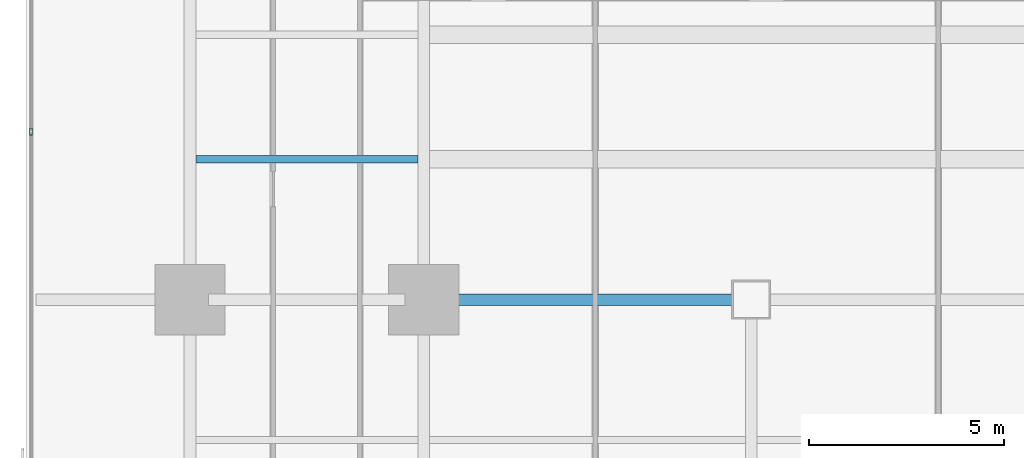
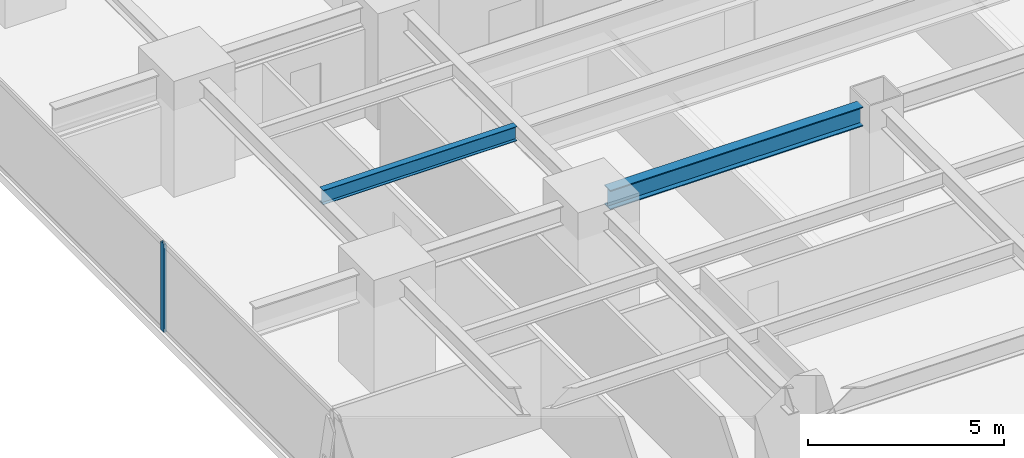
# One storey, part 9 of 33: 2 beams, 1 member, 1 element without a shape of its own.
"""IFC4 building model written with IfcOpenShell, lengths in metres."""

from ifc_helpers import new_model, si_unit, direction, frame, origin, origin_2d, place, context, subcontext, project, spatial, hollow_rectangle, i_section, extrude, source, transform, mapped, material, layer, layer_set, material_profile, profile_set, type_object, element, aggregate, save


model = new_model("IFC4")

# Units and contexts
model_context = context("Model", 3, precision=1e-05, world=origin(), true_north=direction((0.0, 1.0)))
body_context = subcontext(model_context, "Body", "Model", "MODEL_VIEW")
ifc_project = project(units=[si_unit("LENGTHUNIT", "METRE"), si_unit("AREAUNIT", "SQUARE_METRE"), si_unit("VOLUMEUNIT", "CUBIC_METRE"), si_unit("PLANEANGLEUNIT", "RADIAN"), si_unit("MASSUNIT", "GRAM", prefix="KILO")], contexts=[model_context])

# Site, building, storey
site_placement = place(None, origin())
site = spatial("IfcSite", under=ifc_project, at=site_placement, CompositionType="ELEMENT")
building_placement = place(site_placement, origin())
building = spatial("IfcBuilding", under=site, at=building_placement, Name="Sumidabori Civic Tower", CompositionType="ELEMENT")
storey_placement = place(building_placement, frame((0.0, 0.0, 23.60009765625)))
storey = spatial("IfcBuildingStorey", under=building, at=storey_placement, Name="L05", CompositionType="ELEMENT", Elevation=23.60009765625)

# Beams
ifc_material_1 = material(Name="Steel SN490", Category="steel")
ifc_material_profile_1 = material_profile(ifc_material_1, i_section(OverallWidth=0.300048828125, OverallDepth=0.60009765625, WebThickness=0.015380859375, FlangeThickness=0.030029296875, at=origin_2d()), Name="HE 600 B")
ifc_profile_set_1 = profile_set([ifc_material_profile_1], Name="Steel SN490")
beam_type_1 = type_object("IfcBeamType", Name="BM-GIRD-600", PredefinedType="BEAM", material=ifc_profile_set_1)
shared_shape_1 = source(origin(), body_context, "Body", "SweptSolid", [
    extrude(i_section(OverallWidth=0.300048828125, OverallDepth=0.60009765625, WebThickness=0.015380859375, FlangeThickness=0.030029296875, at=origin_2d()), origin(), (0.0, 0.0, 1.0), 7.440185546875),
])
beam_1_placement = place(storey_placement, frame((-16.320068359375, 0.0, 3.059814453125), z_axis=(1.0, 0.0, 0.0), x_axis=(0.0, 1.0, 0.0)))
element("IfcBeam", 1, at=beam_1_placement, inside=storey, type_object=beam_type_1, Name="Primary Girder L05 GX-14", PredefinedType="BEAM", context=body_context, shape_type="MappedRepresentation", body=[
    mapped(shared_shape_1, transform((0.0, 0.0, 0.0), x_axis=(1.0, 0.0, 0.0), y_axis=(0.0, 1.0, 0.0), z_axis=(0.0, 0.0, 1.0), scale=1.0)),
])
ifc_material_profile_2 = material_profile(ifc_material_1, i_section(OverallWidth=0.18994140625, OverallDepth=0.449951171875, WebThickness=0.009521484375, FlangeThickness=0.0146484375, at=origin_2d()), Name="IPE 450")
ifc_profile_set_2 = profile_set([ifc_material_profile_2], Name="Steel SN490")
beam_type_2 = type_object("IfcBeamType", Name="BM-JST-450", PredefinedType="JOIST", material=ifc_profile_set_2)
shared_shape_2 = source(origin(), body_context, "Body", "SweptSolid", [
    extrude(i_section(OverallWidth=0.18994140625, OverallDepth=0.449951171875, WebThickness=0.009521484375, FlangeThickness=0.0146484375, at=origin_2d()), origin(), (0.0, 0.0, 1.0), 5.699951171875),
])
beam_2_placement = place(storey_placement, frame((-22.64990234375, 3.60009765625, 3.135009765625), z_axis=(1.0, 0.0, 0.0), x_axis=(0.0, 1.0, 0.0)))
element("IfcBeam", 2, at=beam_2_placement, inside=storey, type_object=beam_type_2, Name="Outer Bay Floor Joist L05 JSTO-53", PredefinedType="JOIST", context=body_context, shape_type="MappedRepresentation", body=[
    mapped(shared_shape_2, transform((0.0, 0.0, 0.0), x_axis=(1.0, 0.0, 0.0), y_axis=(0.0, 1.0, 0.0), z_axis=(0.0, 0.0, 1.0), scale=1.0)),
])

# Curtain wall, member
ifc_material_2 = material(Name="Anodised Bronze Aluminium AW-6063-T6", Category="aluminium")
ifc_layer = layer(ifc_material_2, 0.179931640625, Name="Anodised Bronze Aluminium AW-6063-T6")
ifc_layer_set = layer_set([ifc_layer], Name="Anodised Bronze Aluminium AW-6063-T6")
curtain_wall_type = type_object("IfcCurtainWallType", Name="CW-SYS-2", PredefinedType="NOTDEFINED", material=ifc_layer_set)
curtain_wall_placement = place(storey_placement, origin())
curtain_wall = element("IfcCurtainWall", 3, at=curtain_wall_placement, inside=storey, type_object=curtain_wall_type, Name="Curtain Wall CW:L05:R11", PredefinedType="NOTDEFINED")
ifc_material_profile_3 = material_profile(ifc_material_2, hollow_rectangle(XDim=0.070068359375, YDim=0.179931640625, WallThickness=0.006103515625, at=origin_2d()), Name="ALU MULLION 180x70")
ifc_profile_set_3 = profile_set([ifc_material_profile_3], Name="Anodised Bronze Aluminium AW-6063-T6")
member_type = type_object("IfcMemberType", Name="CW-MUL-180", PredefinedType="MULLION", material=ifc_profile_set_3)
shared_shape_3 = source(origin(), body_context, "Body", "SweptSolid", [
    extrude(hollow_rectangle(XDim=0.070068359375, YDim=0.179931640625, WallThickness=0.006103515625, at=origin_2d()), origin(), (0.0, 0.0, 1.0), 2.739990234375),
])
member_placement = place(storey_placement, frame((-26.8798828125, 4.31396484375, 0.0), z_axis=(0.0, 0.0, 1.0), x_axis=(1.0, 0.0, 0.0)))
member = element("IfcMember", 4, at=member_placement, type_object=member_type, Name="CW-2 mullion 3", PredefinedType="MULLION", context=body_context, shape_type="MappedRepresentation", body=[
    mapped(shared_shape_3, transform((0.0, 0.0, 0.0), x_axis=(1.0, 0.0, 0.0), y_axis=(0.0, 1.0, 0.0), z_axis=(0.0, 0.0, 1.0), scale=1.0)),
])
aggregate(curtain_wall, [member])

save(model, "model.ifc")
